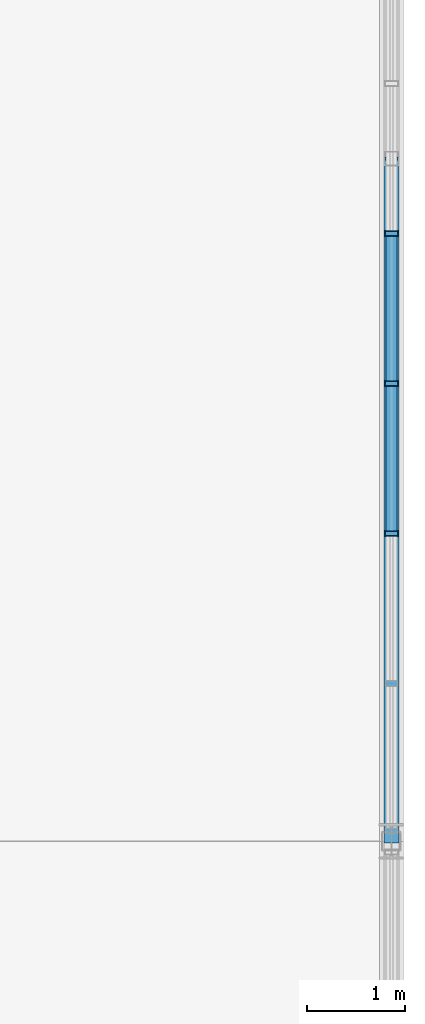
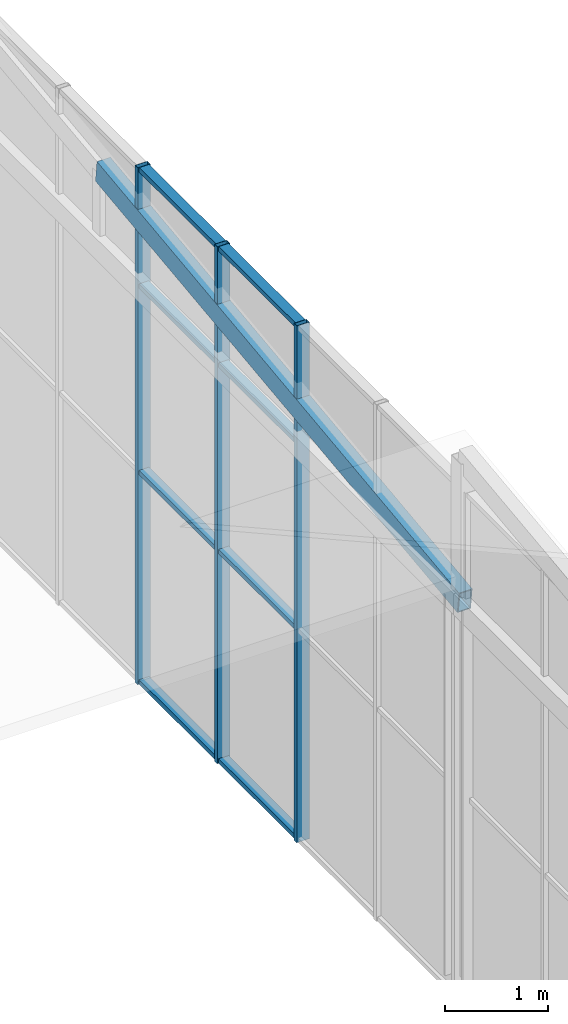
# One storey, part 73 of 104: 12 members, 1 element without a shape of its own.
"""IFC4 building model written with IfcOpenShell, lengths in metres."""

from ifc_helpers import new_model, si_unit, direction, frame, origin, origin_2d, place, context, subcontext, project, spatial, hollow_rectangle, extrude, material, layer, layer_set, material_profile, profile_set, type_object, element, aggregate, save


model = new_model("IFC4")

# Units and contexts
model_context = context("Model", 3, precision=1e-05, world=origin(), true_north=direction((0.0, 1.0)))
body_context = subcontext(model_context, "Body", "Model", "MODEL_VIEW")
ifc_project = project(units=[si_unit("LENGTHUNIT", "METRE"), si_unit("AREAUNIT", "SQUARE_METRE"), si_unit("VOLUMEUNIT", "CUBIC_METRE"), si_unit("PLANEANGLEUNIT", "RADIAN"), si_unit("MASSUNIT", "GRAM", prefix="KILO")], contexts=[model_context])

# Site, building, storey
site_placement = place(None, origin())
site = spatial("IfcSite", under=ifc_project, at=site_placement, CompositionType="ELEMENT")
building_placement = place(site_placement, origin())
building = spatial("IfcBuilding", under=site, at=building_placement, Name="Solvenia Promenade Tram Depot", CompositionType="ELEMENT")
storey_placement = place(building_placement, frame((0.0, 0.0, 9.0)))
storey = spatial("IfcBuildingStorey", under=building, at=storey_placement, Name="L02", CompositionType="ELEMENT", Elevation=9.0)

# Curtain wall, members
ifc_material_1 = material(Name="Anodized aluminium AW-6063 T6", Category="aluminium")
ifc_layer = layer(ifc_material_1, 0.080078125, Name="Anodized aluminium AW-6063 T6", Category="aluminium")
ifc_layer_set = layer_set([ifc_layer], Name="Anodized aluminium AW-6063 T6")
curtain_wall_type = type_object("IfcCurtainWallType", Name="CW-Clerest-1500", PredefinedType="NOTDEFINED", material=ifc_layer_set)
curtain_wall_placement = place(storey_placement, origin())
curtain_wall = element("IfcCurtainWall", 1, at=curtain_wall_placement, inside=storey, type_object=curtain_wall_type, Name="Curtain Wall CW-V2E-L2-3", PredefinedType="NOTDEFINED")
ifc_material_profile_1 = material_profile(ifc_material_1, hollow_rectangle(XDim=0.139892578125, YDim=0.054931640625, WallThickness=0.00390625, at=origin_2d()), Name="ALU-M4", Category="aluminium")
ifc_profile_set_1 = profile_set([ifc_material_profile_1], Name="Anodized aluminium AW-6063 T6")
member_type_1 = type_object("IfcMemberType", Name="CWM-Mullion-4", PredefinedType="MULLION", material=ifc_profile_set_1)
member_1_placement = place(storey_placement, frame((186.0, 55.155517578125, -0.25), z_axis=(0.0, 0.0, 1.0), x_axis=(-1.0, 0.0, 0.0)))
member_1 = element("IfcMember", 2, at=member_1_placement, type_object=member_type_1, Name="CW-4 mullion 3", PredefinedType="MULLION", context=body_context, shape_type="SweptSolid", body=[
    extrude(hollow_rectangle(XDim=0.139892578125, YDim=0.054931640625, WallThickness=0.00390625, at=origin_2d()), origin(), (0.0, 0.0, 1.0), 6.10009765625),
])
member_2_placement = place(storey_placement, frame((186.0, 56.693359375, -0.25), z_axis=(0.0, 0.0, 1.0), x_axis=(-1.0, 0.0, 0.0)))
member_2 = element("IfcMember", 3, at=member_2_placement, type_object=member_type_1, Name="CW-4 mullion 4", PredefinedType="MULLION", context=body_context, shape_type="SweptSolid", body=[
    extrude(hollow_rectangle(XDim=0.139892578125, YDim=0.054931640625, WallThickness=0.00390625, at=origin_2d()), origin(), (0.0, 0.0, 1.0), 6.10009765625),
])
member_3_placement = place(storey_placement, frame((186.0, 58.231201171875, -0.25), z_axis=(0.0, 0.0, 1.0), x_axis=(-1.0, 0.0, 0.0)))
member_3 = element("IfcMember", 4, at=member_3_placement, type_object=member_type_1, Name="CW-4 mullion 5", PredefinedType="MULLION", context=body_context, shape_type="SweptSolid", body=[
    extrude(hollow_rectangle(XDim=0.139892578125, YDim=0.054931640625, WallThickness=0.00390625, at=origin_2d()), origin(), (0.0, 0.0, 1.0), 6.10009765625),
])
ifc_material_profile_2 = material_profile(ifc_material_1, hollow_rectangle(XDim=0.110107421875, YDim=0.054931640625, WallThickness=0.00390625, at=origin_2d()), Name="ALU-T4", Category="aluminium")
ifc_profile_set_2 = profile_set([ifc_material_profile_2], Name="Anodized aluminium AW-6063 T6")
member_type_2 = type_object("IfcMemberType", Name="CWT-Transom-4", PredefinedType="USERDEFINED", material=ifc_profile_set_2)
member_4_placement = place(storey_placement, frame((186.0, 55.18310546875, -0.222412109375), z_axis=(0.0, 1.0, 0.0), x_axis=(-1.0, 0.0, 0.0)))
member_4 = element("IfcMember", 5, at=member_4_placement, type_object=member_type_2, Name="CW-4 transom 3.1", ObjectType="TRANSOM", PredefinedType="USERDEFINED", context=body_context, shape_type="SweptSolid", body=[
    extrude(hollow_rectangle(XDim=0.110107421875, YDim=0.054931640625, WallThickness=0.00390625, at=origin_2d()), origin(), (0.0, 0.0, 1.0), 1.482666015625),
])
member_5_placement = place(storey_placement, frame((186.0, 55.18310546875, 2.25), z_axis=(0.0, 1.0, 0.0), x_axis=(-1.0, 0.0, 0.0)))
member_5 = element("IfcMember", 6, at=member_5_placement, type_object=member_type_2, Name="CW-4 transom 3.2", ObjectType="TRANSOM", PredefinedType="USERDEFINED", context=body_context, shape_type="SweptSolid", body=[
    extrude(hollow_rectangle(XDim=0.110107421875, YDim=0.054931640625, WallThickness=0.00390625, at=origin_2d()), origin(), (0.0, 0.0, 1.0), 1.482666015625),
])
member_6_placement = place(storey_placement, frame((186.0, 55.18310546875, 4.449951171875), z_axis=(0.0, 1.0, 0.0), x_axis=(-1.0, 0.0, 0.0)))
member_6 = element("IfcMember", 7, at=member_6_placement, type_object=member_type_2, Name="CW-4 transom 3.3", ObjectType="TRANSOM", PredefinedType="USERDEFINED", context=body_context, shape_type="SweptSolid", body=[
    extrude(hollow_rectangle(XDim=0.110107421875, YDim=0.054931640625, WallThickness=0.00390625, at=origin_2d()), origin(), (0.0, 0.0, 1.0), 1.482666015625),
])
member_7_placement = place(storey_placement, frame((186.0, 55.18310546875, 5.822509765625), z_axis=(0.0, 1.0, 0.0), x_axis=(-1.0, 0.0, 0.0)))
member_7 = element("IfcMember", 8, at=member_7_placement, type_object=member_type_2, Name="CW-4 transom 3.4", ObjectType="TRANSOM", PredefinedType="USERDEFINED", context=body_context, shape_type="SweptSolid", body=[
    extrude(hollow_rectangle(XDim=0.110107421875, YDim=0.054931640625, WallThickness=0.00390625, at=origin_2d()), origin(), (0.0, 0.0, 1.0), 1.482666015625),
])
member_8_placement = place(storey_placement, frame((186.0, 56.720947265625, -0.222412109375), z_axis=(0.0, 1.0, 0.0), x_axis=(-1.0, 0.0, 0.0)))
member_8 = element("IfcMember", 9, at=member_8_placement, type_object=member_type_2, Name="CW-4 transom 4.1", ObjectType="TRANSOM", PredefinedType="USERDEFINED", context=body_context, shape_type="SweptSolid", body=[
    extrude(hollow_rectangle(XDim=0.110107421875, YDim=0.054931640625, WallThickness=0.00390625, at=origin_2d()), origin(), (0.0, 0.0, 1.0), 1.482666015625),
])
member_9_placement = place(storey_placement, frame((186.0, 56.720947265625, 2.25), z_axis=(0.0, 1.0, 0.0), x_axis=(-1.0, 0.0, 0.0)))
member_9 = element("IfcMember", 10, at=member_9_placement, type_object=member_type_2, Name="CW-4 transom 4.2", ObjectType="TRANSOM", PredefinedType="USERDEFINED", context=body_context, shape_type="SweptSolid", body=[
    extrude(hollow_rectangle(XDim=0.110107421875, YDim=0.054931640625, WallThickness=0.00390625, at=origin_2d()), origin(), (0.0, 0.0, 1.0), 1.482666015625),
])
member_10_placement = place(storey_placement, frame((186.0, 56.720947265625, 4.449951171875), z_axis=(0.0, 1.0, 0.0), x_axis=(-1.0, 0.0, 0.0)))
member_10 = element("IfcMember", 11, at=member_10_placement, type_object=member_type_2, Name="CW-4 transom 4.3", ObjectType="TRANSOM", PredefinedType="USERDEFINED", context=body_context, shape_type="SweptSolid", body=[
    extrude(hollow_rectangle(XDim=0.110107421875, YDim=0.054931640625, WallThickness=0.00390625, at=origin_2d()), origin(), (0.0, 0.0, 1.0), 1.482666015625),
])
member_11_placement = place(storey_placement, frame((186.0, 56.720947265625, 5.822509765625), z_axis=(0.0, 1.0, 0.0), x_axis=(-1.0, 0.0, 0.0)))
member_11 = element("IfcMember", 12, at=member_11_placement, type_object=member_type_2, Name="CW-4 transom 4.4", ObjectType="TRANSOM", PredefinedType="USERDEFINED", context=body_context, shape_type="SweptSolid", body=[
    extrude(hollow_rectangle(XDim=0.110107421875, YDim=0.054931640625, WallThickness=0.00390625, at=origin_2d()), origin(), (0.0, 0.0, 1.0), 1.482666015625),
])
aggregate(curtain_wall, [member_1, member_2, member_3, member_4, member_5, member_6, member_7, member_8, member_9, member_10, member_11])

# Member
ifc_material_2 = material(Name="Structural steel ASTM A500 Gr. C", Category="steel")
ifc_material_profile_3 = material_profile(ifc_material_2, hollow_rectangle(XDim=0.14990234375, YDim=0.25, WallThickness=0.010009765625, at=origin_2d()), Name="HSS250x150x10", Category="steel")
ifc_profile_set_3 = profile_set([ifc_material_profile_3], Name="Structural steel ASTM A500 Gr. C")
member_type_3 = type_object("IfcMemberType", Name="Chord-HSS250x150x10", PredefinedType="CHORD", material=ifc_profile_set_3)
member_12_placement = place(storey_placement, frame((186.0, 52.0, 4.47998046875), z_axis=(0.0, 0.992706434156, 0.120556773289), x_axis=(-1.0, 0.0, 0.0)))
element("IfcMember", 13, at=member_12_placement, inside=storey, type_object=member_type_3, Name="Workshop Sawtooth Rafter 2-10S", PredefinedType="CHORD", context=body_context, shape_type="SweptSolid", body=[
    extrude(hollow_rectangle(XDim=0.14990234375, YDim=0.25, WallThickness=0.010009765625, at=origin_2d()), origin(), (0.0, 0.0, 1.0), 7.051513671875),
])

save(model, "model.ifc")
